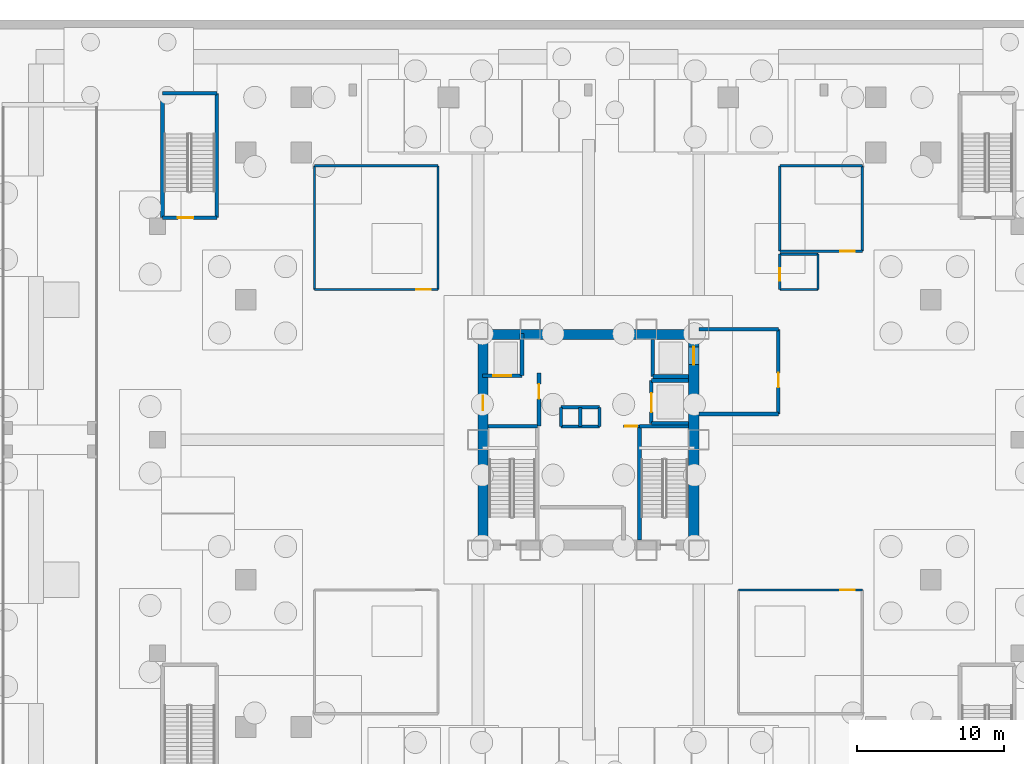
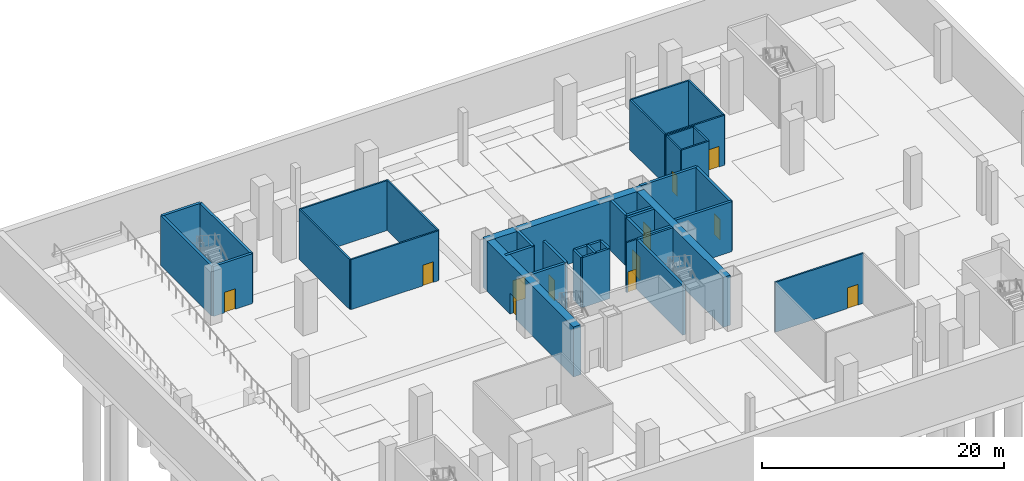
# One storey, part 5 of 16: 40 walls, 12 doors, 12 openings.
"""IFC4 building model written with IfcOpenShell, lengths in metres."""

import ifcopenshell
import ifcopenshell.guid

model = None  # the IFC model being written
_history = None  # IfcOwnerHistory: only IFC2X3 demands one
_inside = {}  # id of a spatial element -> (the spatial element, [elements in it])
_under = {}  # id of a project, library or spatial element -> (it, [spatial elements below it])
_declared = {}  # id of a project -> (the project, [libraries it declares])
_typed = {}  # id of a type object -> (the type object, [elements of that type])
_made_of = {}  # id of a material, layer set ... -> (it, [elements and type objects made of it])


def new_model(schema):
    """Start an empty IFC model of exactly this schema.

    Asked for "IFC4X3", IfcOpenShell would pick the latest addendum, in which some entities
    have other attributes; the version numbers below select the first issue.
    IFC2X3 requires an IfcOwnerHistory on every rooted entity: one is made here for all.
    """
    global model, _history
    if schema == "IFC4X3":
        model = ifcopenshell.file(schema_version=(4, 3, 0, 0))
    else:
        model = ifcopenshell.file(schema=schema)
    _inside.clear()
    _under.clear()
    _declared.clear()
    _typed.clear()
    _made_of.clear()
    _history = None
    if model.schema == "IFC2X3":
        org = make("IfcOrganization", Name="unknown")
        user = make(
            "IfcPersonAndOrganization",
            ThePerson=make("IfcPerson", FamilyName="unknown"),
            TheOrganization=org,
        )
        app = make(
            "IfcApplication",
            ApplicationDeveloper=org,
            Version="unknown",
            ApplicationFullName="unknown",
            ApplicationIdentifier="unknown",
        )
        _history = make(
            "IfcOwnerHistory",
            OwningUser=user,
            OwningApplication=app,
            ChangeAction="ADDED",
            CreationDate=0,
        )
    return model


def make(cls, **values):
    """One entity of the class cls with the attributes given. An attribute that is None is left unset."""
    return model.create_entity(
        cls, **{name: value for name, value in values.items() if value is not None}
    )


def rooted(cls, **values):
    """An entity with a GlobalId (a new one), such as an element, a storey or a relation."""
    return make(cls, GlobalId=ifcopenshell.guid.new(), OwnerHistory=_history, **values)


def si_unit(unit_type, name, prefix=None):
    """IfcSIUnit, for example si_unit("LENGTHUNIT", "METRE", prefix="MILLI")."""
    return make("IfcSIUnit", UnitType=unit_type, Prefix=prefix, Name=name)


def assignment(units):
    """IfcUnitAssignment: the units of a project."""
    return None if units is None else make("IfcUnitAssignment", Units=units)


def point(xyz):
    """IfcCartesianPoint."""
    return None if xyz is None else make("IfcCartesianPoint", Coordinates=xyz)


def direction(xyz):
    """IfcDirection."""
    return None if xyz is None else make("IfcDirection", DirectionRatios=xyz)


def frame(location, z_axis=None, x_axis=None):
    """IfcAxis2Placement3D, a coordinate frame: its origin and axes. An axis left out is left unset."""
    return make(
        "IfcAxis2Placement3D",
        Location=point(location),
        Axis=direction(z_axis),
        RefDirection=direction(x_axis),
    )


def frame_2d(location, x_axis=None):
    """IfcAxis2Placement2D, a coordinate frame in the plane: its origin and x axis."""
    return make(
        "IfcAxis2Placement2D", Location=point(location), RefDirection=direction(x_axis)
    )


def origin():
    """The frame at (0, 0, 0) with its axes left unset."""
    return frame((0.0, 0.0, 0.0))


def place(relative_to, where):
    """IfcLocalPlacement: puts the frame where relative to a parent placement (None: the world)."""
    return make(
        "IfcLocalPlacement", PlacementRelTo=relative_to, RelativePlacement=where
    )


def context(
    kind, dimensions, precision=None, world=None, true_north=None, identifier=None
):
    """IfcGeometricRepresentationContext, for example the 3D "Model" context."""
    return make(
        "IfcGeometricRepresentationContext",
        ContextIdentifier=identifier,
        ContextType=kind,
        CoordinateSpaceDimension=dimensions,
        Precision=precision,
        WorldCoordinateSystem=world,
        TrueNorth=true_north,
    )


def subcontext(parent, identifier, kind, view, scale=None):
    """IfcGeometricRepresentationSubContext, for example "Body" below "Model"."""
    return make(
        "IfcGeometricRepresentationSubContext",
        ContextIdentifier=identifier,
        ContextType=kind,
        ParentContext=parent,
        TargetScale=scale,
        TargetView=view,
    )


def project(units=None, contexts=None):
    """IfcProject with its units and contexts."""
    return rooted(
        "IfcProject",
        Name="project",
        RepresentationContexts=contexts,
        UnitsInContext=assignment(units),
    )


def spatial(cls, under=None, at=None, **own):
    """A site, building, storey or space (cls), placed at a placement, below another one or the project."""
    s = rooted(cls, ObjectPlacement=at, **own)
    if under is not None:
        _under.setdefault(under.id(), (under, []))[1].append(s)
    return s


def profile(cls, at=None, kind="AREA", **sizes):
    """A parametric profile (cls). Its sizes go by their IFC names, for example OverallWidth=200.0."""
    return make(cls, ProfileType=kind, Position=at, **sizes)


def rectangle(**sizes):
    """IfcRectangleProfileDef."""
    return profile("IfcRectangleProfileDef", **sizes)


def extrude(swept, where, along, depth):
    """IfcExtrudedAreaSolid: the profile swept, set in the frame where, extruded along a direction by depth."""
    return make(
        "IfcExtrudedAreaSolid",
        SweptArea=swept,
        Position=where,
        ExtrudedDirection=direction(along),
        Depth=depth,
    )


def shape(context_of_items, identifier, shape_type, items):
    """IfcShapeRepresentation: the items that make up one representation, for example the "Body"."""
    return make(
        "IfcShapeRepresentation",
        ContextOfItems=context_of_items,
        RepresentationIdentifier=identifier,
        RepresentationType=shape_type,
        Items=items,
    )


def material(Name=None, Category=None):
    """IfcMaterial."""
    return make("IfcMaterial", Name=Name, Category=Category)


def layer(
    of_material, thickness, ventilated=None, Name=None, Category=None, Priority=None
):
    """IfcMaterialLayer: one layer of a wall or slab, of a material (None: an air gap)."""
    return make(
        "IfcMaterialLayer",
        Material=of_material,
        LayerThickness=thickness,
        IsVentilated=ventilated,
        Name=Name,
        Category=Category,
        Priority=Priority,
    )


def layer_set(layers, Name=None):
    """IfcMaterialLayerSet."""
    return make("IfcMaterialLayerSet", MaterialLayers=layers, LayerSetName=Name)


def made_of(thing, what):
    """Note that an element or type object is made of a material, layer set ...; save() writes the relation."""
    if what is not None:
        _made_of.setdefault(what.id(), (what, []))[1].append(thing)
    return thing


def type_object(cls, material=None, **own):
    """A type object (cls), such as IfcWallType, which elements share."""
    return made_of(rooted(cls, **own), material)


def element(
    cls,
    number,
    at=None,
    inside=None,
    cuts=None,
    type_object=None,
    material=None,
    context=None,
    identifier="Body",
    shape_type=None,
    held_by="IfcProductDefinitionShape",
    body=None,
    shapes=None,
    **own,
):
    """One element of the class cls, such as IfcWall. Its Tag is "e" and its number.

    at: its placement. inside: the storey or other place that contains it. cuts: it is an
    opening in that element (IfcRelVoidsElement). A single representation is given by context,
    identifier, shape_type and body (its items); several are given by shapes. held_by: the class
    of the entity that holds the representations. save() writes the other relations.
    """
    e = rooted(cls, Tag="e%d" % number, ObjectPlacement=at, **own)
    if body is not None:
        shapes = [shape(context, identifier, shape_type, body)]
    if shapes is not None:
        e.Representation = make(held_by, Representations=shapes)
    if inside is not None:
        _inside.setdefault(inside.id(), (inside, []))[1].append(e)
    if cuts is not None:
        rooted(
            "IfcRelVoidsElement", RelatingBuildingElement=cuts, RelatedOpeningElement=e
        )
    if type_object is not None:
        _typed.setdefault(type_object.id(), (type_object, []))[1].append(e)
    return made_of(e, material)


def fill(opening, filler):
    """IfcRelFillsElement: the door or window that sits in an opening."""
    return rooted(
        "IfcRelFillsElement",
        RelatingOpeningElement=opening,
        RelatedBuildingElement=filler,
    )


def aggregate(whole, parts):
    """IfcRelAggregates: a whole, such as a stair, and the parts it consists of."""
    return rooted("IfcRelAggregates", RelatingObject=whole, RelatedObjects=parts)


def save(model, path):
    """Write the relations noted so far, then the file.

    IfcRelAggregates (storeys below a building ...), IfcRelContainedInSpatialStructure (elements
    in a storey), IfcRelDefinesByType, IfcRelAssociatesMaterial and IfcRelDeclares: one each for
    every whole, place, type object, material and project.
    """
    for whole, parts in _under.values():
        aggregate(whole, parts)
    for where, things in _inside.values():
        rooted(
            "IfcRelContainedInSpatialStructure",
            RelatedElements=things,
            RelatingStructure=where,
        )
    for kind, things in _typed.values():
        rooted("IfcRelDefinesByType", RelatedObjects=things, RelatingType=kind)
    for what, things in _made_of.values():
        rooted("IfcRelAssociatesMaterial", RelatedObjects=things, RelatingMaterial=what)
    for by, libraries in _declared.values():
        rooted("IfcRelDeclares", RelatingContext=by, RelatedDefinitions=libraries)
    model.write(path)


model = new_model("IFC4")

# Units and contexts
model_context = context("Model", 3, precision=1e-05, world=origin(), true_north=direction((0.0, 1.0)))
body_context = subcontext(model_context, "Body", "Model", "MODEL_VIEW")
ifc_project = project(units=[si_unit("LENGTHUNIT", "METRE"), si_unit("AREAUNIT", "SQUARE_METRE"), si_unit("VOLUMEUNIT", "CUBIC_METRE"), si_unit("PLANEANGLEUNIT", "RADIAN"), si_unit("MASSUNIT", "GRAM", prefix="KILO")], contexts=[model_context])

# Site, building, storey
site_placement = place(None, origin())
site = spatial("IfcSite", under=ifc_project, at=site_placement, CompositionType="ELEMENT")
building_placement = place(site_placement, origin())
building = spatial("IfcBuilding", under=site, at=building_placement, Name="Trevonay Congress Spire", CompositionType="ELEMENT")
storey_placement = place(building_placement, frame((0.0, 0.0, -10.800048828125)))
storey = spatial("IfcBuildingStorey", under=building, at=storey_placement, Name="B2", CompositionType="ELEMENT", Elevation=-10.800048828125)

# Wall
ifc_material_1 = material(Name="Concrete C60/75", Category="concrete")
ifc_layer_1 = layer(ifc_material_1, 0.699951171875, Name="Concrete C60/75")
ifc_layer_set_1 = layer_set([ifc_layer_1], Name="Concrete C60/75")
wall_type_1 = type_object("IfcWallType", Name="WAL-CORE-700", PredefinedType="SHEAR", material=ifc_layer_set_1)
wall_1_placement = place(storey_placement, frame((-7.5, 7.14990234375, 0.0), z_axis=(0.0, 0.0, 1.0), x_axis=(1.0, 0.0, 0.0)))
element("IfcWall", 1, at=wall_1_placement, inside=storey, type_object=wall_type_1, Name="B2 North structural core shear wall", PredefinedType="SHEAR", context=body_context, shape_type="SweptSolid", body=[
    extrude(rectangle(XDim=15.0, YDim=0.699951171875, at=frame_2d((7.5, 0.0))), origin(), (0.0, 0.0, 1.0), 5.050048828125),
])

# Wall, opening, door
wall_2_placement = place(storey_placement, frame((-7.14990234375, -7.5, 0.0), z_axis=(0.0, 0.0, 1.0), x_axis=(0.0, 1.0, 0.0)))
wall_2 = element("IfcWall", 2, at=wall_2_placement, inside=storey, type_object=wall_type_1, Name="B2 West structural core shear wall", PredefinedType="SHEAR", context=body_context, shape_type="SweptSolid", body=[
    extrude(rectangle(XDim=15.0, YDim=0.699951171875, at=frame_2d((7.5, 0.0))), origin(), (0.0, 0.0, 1.0), 5.050048828125),
])
opening_1_placement = place(wall_2_placement, frame((9.5, 0.0, 0.0)))
opening_1 = element("IfcOpeningElement", 3, at=opening_1_placement, cuts=wall_2, Name="Opening D06", PredefinedType="OPENING", context=body_context, shape_type="SweptSolid", body=[
    extrude(rectangle(XDim=1.0, YDim=2.080078125, at=frame_2d((0.5, 1.0400390625))), frame((0.0, 0.35986328125, 0.0), z_axis=(0.0, -1.0, 0.0), x_axis=(1.0, 0.0, 0.0)), (0.0, 0.0, 1.0), 0.719970703125),
])
ifc_material_2 = material(Name="Steel ASTM A572 Grade 50", Category="steel")
door_type_1 = type_object("IfcDoorType", Name="DOR-FIRE-100", OperationType="NOTDEFINED", PredefinedType="DOOR", material=ifc_material_2)
door_1_placement = place(opening_1_placement, origin())
door_1 = element("IfcDoor", 4, at=door_1_placement, inside=storey, type_object=door_type_1, Name="B2 Firefighting Lift Lobby West Corridor Door", OperationType="SINGLE_SWING_RIGHT", OverallHeight=2.080078125, OverallWidth=1.0, PredefinedType="DOOR", context=body_context, shape_type="SweptSolid", body=[
    extrude(rectangle(XDim=1.0, YDim=2.080078125, at=frame_2d((0.5, 1.0400390625))), frame((0.0, 0.02490234375, 0.0), z_axis=(0.0, -1.0, 0.0), x_axis=(1.0, 0.0, 0.0)), (0.0, 0.0, 1.0), 0.050048828125),
])
fill(opening_1, door_1)

wall_3_placement = place(storey_placement, frame((7.14990234375, -7.5, 0.0), z_axis=(0.0, 0.0, 1.0), x_axis=(0.0, 1.0, 0.0)))
wall_3 = element("IfcWall", 5, at=wall_3_placement, inside=storey, type_object=wall_type_1, Name="B2 East structural core shear wall", PredefinedType="SHEAR", context=body_context, shape_type="SweptSolid", body=[
    extrude(rectangle(XDim=15.0, YDim=0.699951171875, at=frame_2d((7.5, 0.0))), origin(), (0.0, 0.0, 1.0), 5.050048828125),
])
opening_2_placement = place(wall_3_placement, frame((12.60009765625, 0.0, 0.0)))
opening_2 = element("IfcOpeningElement", 6, at=opening_2_placement, cuts=wall_3, Name="Opening LD04", PredefinedType="OPENING", context=body_context, shape_type="SweptSolid", body=[
    extrude(rectangle(XDim=1.199951171875, YDim=2.199951171875, at=frame_2d((0.60009765625, 1.10009765625))), frame((0.0, 0.35986328125, 0.0), z_axis=(0.0, -1.0, 0.0), x_axis=(1.0, 0.0, 0.0)), (0.0, 0.0, 1.0), 0.719970703125),
])
door_type_2 = type_object("IfcDoorType", Name="DOR-LIFT-LD04", OperationType="DOUBLE_DOOR_SLIDING", PredefinedType="DOOR", material=ifc_material_2)
door_2_placement = place(opening_2_placement, origin())
door_2 = element("IfcDoor", 7, at=door_2_placement, inside=storey, type_object=door_type_2, Name="B2 Firefighting lift FFL-02 landing door", OperationType="DOUBLE_DOOR_SLIDING", OverallHeight=2.199951171875, OverallWidth=1.199951171875, PredefinedType="DOOR", context=body_context, shape_type="SweptSolid", body=[
    extrude(rectangle(XDim=1.199951171875, YDim=2.199951171875, at=frame_2d((0.60009765625, 1.10009765625))), frame((0.0, 0.02490234375, 0.0), z_axis=(0.0, -1.0, 0.0), x_axis=(1.0, 0.0, 0.0)), (0.0, 0.0, 1.0), 0.050048828125),
])
fill(opening_2, door_2)

ifc_material_3 = material(Name="Concrete C40/50", Category="concrete")
ifc_layer_2 = layer(ifc_material_3, 0.14990234375, Name="Concrete C40/50")
ifc_layer_set_2 = layer_set([ifc_layer_2], Name="Concrete C40/50")
wall_type_2 = type_object("IfcWallType", Name="WAL-PART-150", PredefinedType="PARTITIONING", material=ifc_layer_set_2)
wall_4_placement = place(storey_placement, frame((2.3798828125, 0.919921875, 0.0), z_axis=(0.0, 0.0, 1.0), x_axis=(1.0, 0.0, 0.0)))
wall_4 = element("IfcWall", 8, at=wall_4_placement, inside=storey, type_object=wall_type_2, Name="B2 interior wall CW-CSRV-N-B2", PredefinedType="PARTITIONING", context=body_context, shape_type="SweptSolid", body=[
    extrude(rectangle(XDim=1.090087890625, YDim=0.14990234375, at=frame_2d((0.544921875, 0.0))), origin(), (0.0, 0.0, 1.0), 5.050048828125),
])
opening_3_placement = place(wall_4_placement, frame((0.135009765625, 0.0, 0.0)))
opening_3 = element("IfcOpeningElement", 9, at=opening_3_placement, cuts=wall_4, Name="Opening D13", PredefinedType="OPENING", context=body_context, shape_type="SweptSolid", body=[
    extrude(rectangle(XDim=0.820068359375, YDim=2.050048828125, at=frame_2d((0.41015625, 1.02490234375))), frame((0.0, 0.0849609375, 0.0), z_axis=(0.0, -1.0, 0.0), x_axis=(1.0, 0.0, 0.0)), (0.0, 0.0, 1.0), 0.169921875),
])
door_type_3 = type_object("IfcDoorType", Name="DOR-UTIL-80", OperationType="NOTDEFINED", PredefinedType="DOOR", material=ifc_material_2)
door_3_placement = place(opening_3_placement, origin())
door_3 = element("IfcDoor", 10, at=door_3_placement, inside=storey, type_object=door_type_3, Name="B2 Core Service Pocket Door", OperationType="SINGLE_SWING_RIGHT", OverallHeight=2.050048828125, OverallWidth=0.820068359375, PredefinedType="DOOR", context=body_context, shape_type="SweptSolid", body=[
    extrude(rectangle(XDim=0.820068359375, YDim=2.050048828125, at=frame_2d((0.41015625, 1.02490234375))), frame((0.0, 0.02490234375, 0.0), z_axis=(0.0, -1.0, 0.0), x_axis=(1.0, 0.0, 0.0)), (0.0, 0.0, 1.0), 0.050048828125),
])
fill(opening_3, door_3)

wall_5_placement = place(storey_placement, frame((10.199951171875, -10.199951171875, 0.0), z_axis=(0.0, 0.0, 1.0), x_axis=(1.0, 0.0, 0.0)))
wall_5 = element("IfcWall", 11, at=wall_5_placement, inside=storey, type_object=wall_type_2, Name="B2 interior wall WB-B203-N", PredefinedType="PARTITIONING", context=body_context, shape_type="SweptSolid", body=[
    extrude(rectangle(XDim=8.400146484375, YDim=0.14990234375, at=frame_2d((4.2001953125, 0.0))), origin(), (0.0, 0.0, 1.0), 5.050048828125),
])
opening_4_placement = place(wall_5_placement, frame((6.89990234375, 0.0, 0.0)))
opening_4 = element("IfcOpeningElement", 12, at=opening_4_placement, cuts=wall_5, Name="Opening D06", PredefinedType="OPENING", context=body_context, shape_type="SweptSolid", body=[
    extrude(rectangle(XDim=1.0, YDim=2.080078125, at=frame_2d((0.5, 1.0400390625))), frame((0.0, 0.0849609375, 0.0), z_axis=(0.0, -1.0, 0.0), x_axis=(1.0, 0.0, 0.0)), (0.0, 0.0, 1.0), 0.169921875),
])
door_4_placement = place(opening_4_placement, origin())
door_4 = element("IfcDoor", 13, at=door_4_placement, inside=storey, type_object=door_type_1, Name="B2 Fire Sprinkler Tank and Pump Room Door", OperationType="SINGLE_SWING_LEFT", OverallHeight=2.080078125, OverallWidth=1.0, PredefinedType="DOOR", context=body_context, shape_type="SweptSolid", body=[
    extrude(rectangle(XDim=1.0, YDim=2.080078125, at=frame_2d((0.5, 1.0400390625))), frame((0.0, 0.02490234375, 0.0), z_axis=(0.0, -1.0, 0.0), x_axis=(1.0, 0.0, 0.0)), (0.0, 0.0, 1.0), 0.050048828125),
])
fill(opening_4, door_4)

wall_6_placement = place(storey_placement, frame((-18.60009765625, 10.199951171875, 0.0), z_axis=(0.0, 0.0, 1.0), x_axis=(1.0, 0.0, 0.0)))
wall_6 = element("IfcWall", 14, at=wall_6_placement, inside=storey, type_object=wall_type_2, Name="B2 interior wall WB-B204-S", PredefinedType="PARTITIONING", context=body_context, shape_type="SweptSolid", body=[
    extrude(rectangle(XDim=8.400146484375, YDim=0.14990234375, at=frame_2d((4.2001953125, 0.0))), origin(), (0.0, 0.0, 1.0), 5.050048828125),
])
opening_5_placement = place(wall_6_placement, frame((6.89990234375, 0.0, 0.0)))
opening_5 = element("IfcOpeningElement", 15, at=opening_5_placement, cuts=wall_6, Name="Opening D06", PredefinedType="OPENING", context=body_context, shape_type="SweptSolid", body=[
    extrude(rectangle(XDim=1.0, YDim=2.080078125, at=frame_2d((0.5, 1.0400390625))), frame((0.0, 0.0849609375, 0.0), z_axis=(0.0, -1.0, 0.0), x_axis=(1.0, 0.0, 0.0)), (0.0, 0.0, 1.0), 0.169921875),
])
door_5_placement = place(opening_5_placement, origin())
door_5 = element("IfcDoor", 16, at=door_5_placement, inside=storey, type_object=door_type_1, Name="B2 District Cooling Chiller Plant Door", OperationType="SINGLE_SWING_RIGHT", OverallHeight=2.080078125, OverallWidth=1.0, PredefinedType="DOOR", context=body_context, shape_type="SweptSolid", body=[
    extrude(rectangle(XDim=1.0, YDim=2.080078125, at=frame_2d((0.5, 1.0400390625))), frame((0.0, 0.02490234375, 0.0), z_axis=(0.0, -1.0, 0.0), x_axis=(1.0, 0.0, 0.0)), (0.0, 0.0, 1.0), 0.050048828125),
])
fill(opening_5, door_5)

# Walls
for number, where, z_axis, x_axis, name in (
    (17, (-18.60009765625, 18.60009765625, 0.0), (0.0, 0.0, 1.0), (1.0, 0.0, 0.0), "B2 interior wall WB-B204-N"),
    (18, (-18.60009765625, 10.199951171875, 0.0), (0.0, 0.0, 1.0), (0.0, 1.0, 0.0), "B2 interior wall WB-B204-W"),
    (19, (-10.199951171875, 10.199951171875, 0.0), (0.0, 0.0, 1.0), (0.0, 1.0, 0.0), "B2 interior wall WB-B204-E"),
):
    element("IfcWall", number, at=place(storey_placement, frame(where, z_axis=z_axis, x_axis=x_axis)), inside=storey, type_object=wall_type_2, Name=name, PredefinedType="PARTITIONING", context=body_context, shape_type="SweptSolid", body=[
        extrude(rectangle(XDim=8.400146484375, YDim=0.14990234375, at=frame_2d((4.2001953125, 0.0))), origin(), (0.0, 0.0, 1.0), 5.050048828125),
    ])

# Wall, opening, door
wall_7_placement = place(storey_placement, frame((13.0, 12.800048828125, 0.0), z_axis=(0.0, 0.0, 1.0), x_axis=(1.0, 0.0, 0.0)))
wall_7 = element("IfcWall", 20, at=wall_7_placement, inside=storey, type_object=wall_type_2, Name="B2 interior wall WB-B205-S", PredefinedType="PARTITIONING", context=body_context, shape_type="SweptSolid", body=[
    extrude(rectangle(XDim=5.60009765625, YDim=0.14990234375, at=frame_2d((2.800048828125, 0.0))), origin(), (0.0, 0.0, 1.0), 5.050048828125),
])
opening_6_placement = place(wall_7_placement, frame((4.10009765625, 0.0, 0.0)))
opening_6 = element("IfcOpeningElement", 21, at=opening_6_placement, cuts=wall_7, Name="Opening D06", PredefinedType="OPENING", context=body_context, shape_type="SweptSolid", body=[
    extrude(rectangle(XDim=1.0, YDim=2.080078125, at=frame_2d((0.5, 1.0400390625))), frame((0.0, 0.0849609375, 0.0), z_axis=(0.0, -1.0, 0.0), x_axis=(1.0, 0.0, 0.0)), (0.0, 0.0, 1.0), 0.169921875),
])
door_6_placement = place(opening_6_placement, origin())
door_6 = element("IfcDoor", 22, at=door_6_placement, inside=storey, type_object=door_type_1, Name="B2 Domestic Water Cistern Room Door", OperationType="SINGLE_SWING_LEFT", OverallHeight=2.080078125, OverallWidth=1.0, PredefinedType="DOOR", context=body_context, shape_type="SweptSolid", body=[
    extrude(rectangle(XDim=1.0, YDim=2.080078125, at=frame_2d((0.5, 1.0400390625))), frame((0.0, 0.02490234375, 0.0), z_axis=(0.0, -1.0, 0.0), x_axis=(1.0, 0.0, 0.0)), (0.0, 0.0, 1.0), 0.050048828125),
])
fill(opening_6, door_6)

# Walls
wall_8_placement = place(storey_placement, frame((13.0, 18.60009765625, 0.0), z_axis=(0.0, 0.0, 1.0), x_axis=(1.0, 0.0, 0.0)))
element("IfcWall", 23, at=wall_8_placement, inside=storey, type_object=wall_type_2, Name="B2 interior wall WB-B205-N", PredefinedType="PARTITIONING", context=body_context, shape_type="SweptSolid", body=[
    extrude(rectangle(XDim=5.60009765625, YDim=0.14990234375, at=frame_2d((2.800048828125, 0.0))), origin(), (0.0, 0.0, 1.0), 5.050048828125),
])
for number, where, z_axis, x_axis, name in (
    (24, (13.0, 12.800048828125, 0.0), (0.0, 0.0, 1.0), (0.0, 1.0, 0.0), "B2 interior wall WB-B205-W"),
    (25, (18.60009765625, 12.800048828125, 0.0), (0.0, 0.0, 1.0), (0.0, 1.0, 0.0), "B2 interior wall WB-B205-E"),
):
    element("IfcWall", number, at=place(storey_placement, frame(where, z_axis=z_axis, x_axis=x_axis)), inside=storey, type_object=wall_type_2, Name=name, PredefinedType="PARTITIONING", context=body_context, shape_type="SweptSolid", body=[
        extrude(rectangle(XDim=5.800048828125, YDim=0.14990234375, at=frame_2d((2.89990234375, 0.0))), origin(), (0.0, 0.0, 1.0), 5.050048828125),
    ])
for number, where, z_axis, x_axis, name in (
    (26, (13.0, 10.199951171875, 0.0), (0.0, 0.0, 1.0), (1.0, 0.0, 0.0), "B2 interior wall WB-B206-S"),
    (27, (13.0, 12.60009765625, 0.0), (0.0, 0.0, 1.0), (1.0, 0.0, 0.0), "B2 interior wall WB-B206-N"),
):
    element("IfcWall", number, at=place(storey_placement, frame(where, z_axis=z_axis, x_axis=x_axis)), inside=storey, type_object=wall_type_2, Name=name, PredefinedType="PARTITIONING", context=body_context, shape_type="SweptSolid", body=[
        extrude(rectangle(XDim=2.60009765625, YDim=0.14990234375, at=frame_2d((1.300048828125, 0.0))), origin(), (0.0, 0.0, 1.0), 5.050048828125),
    ])

# Wall, opening, door
wall_9_placement = place(storey_placement, frame((13.0, 10.199951171875, 0.0), z_axis=(0.0, 0.0, 1.0), x_axis=(0.0, 1.0, 0.0)))
wall_9 = element("IfcWall", 28, at=wall_9_placement, inside=storey, type_object=wall_type_2, Name="B2 interior wall WB-B206-W", PredefinedType="PARTITIONING", context=body_context, shape_type="SweptSolid", body=[
    extrude(rectangle(XDim=2.400146484375, YDim=0.14990234375, at=frame_2d((1.2001953125, 0.0))), origin(), (0.0, 0.0, 1.0), 5.050048828125),
])
opening_7_placement = place(wall_9_placement, frame((0.60009765625, 0.0, 0.0)))
opening_7 = element("IfcOpeningElement", 29, at=opening_7_placement, cuts=wall_9, Name="Opening D10", PredefinedType="OPENING", context=body_context, shape_type="SweptSolid", body=[
    extrude(rectangle(XDim=0.85009765625, YDim=2.050048828125, at=frame_2d((0.425048828125, 1.02490234375))), frame((0.0, 0.0849609375, 0.0), z_axis=(0.0, -1.0, 0.0), x_axis=(1.0, 0.0, 0.0)), (0.0, 0.0, 1.0), 0.169921875),
])
ifc_material_4 = material(Name="Pale Anodised Aluminium EN AW-6063-T6", Category="aluminium")
door_type_4 = type_object("IfcDoorType", Name="DOR-WC-85", OperationType="NOTDEFINED", PredefinedType="DOOR", material=ifc_material_4)
door_7_placement = place(opening_7_placement, origin())
door_7 = element("IfcDoor", 30, at=door_7_placement, inside=storey, type_object=door_type_4, Name="B2 Accessible Staff WC B2 Door", OperationType="SINGLE_SWING_RIGHT", OverallHeight=2.050048828125, OverallWidth=0.85009765625, PredefinedType="DOOR", context=body_context, shape_type="SweptSolid", body=[
    extrude(rectangle(XDim=0.85009765625, YDim=2.050048828125, at=frame_2d((0.425048828125, 1.02490234375))), frame((0.0, 0.02490234375, 0.0), z_axis=(0.0, -1.0, 0.0), x_axis=(1.0, 0.0, 0.0)), (0.0, 0.0, 1.0), 0.050048828125),
])
fill(opening_7, door_7)

# Walls
wall_10_placement = place(storey_placement, frame((15.60009765625, 10.199951171875, 0.0), z_axis=(0.0, 0.0, 1.0), x_axis=(0.0, 1.0, 0.0)))
element("IfcWall", 31, at=wall_10_placement, inside=storey, type_object=wall_type_2, Name="B2 interior wall WB-B206-E", PredefinedType="PARTITIONING", context=body_context, shape_type="SweptSolid", body=[
    extrude(rectangle(XDim=2.400146484375, YDim=0.14990234375, at=frame_2d((1.2001953125, 0.0))), origin(), (0.0, 0.0, 1.0), 5.050048828125),
])
ifc_layer_3 = layer(ifc_material_3, 0.219970703125, Name="Concrete C40/50")
ifc_layer_set_3 = layer_set([ifc_layer_3], Name="Concrete C40/50")
wall_type_3 = type_object("IfcWallType", Name="WAL-SHAFT-220", PredefinedType="PARTITIONING", material=ifc_layer_set_3)
for number, where, z_axis, x_axis, name in (
    (32, (-1.85009765625, 2.199951171875, 0.0), (0.0, 0.0, 1.0), (1.0, 0.0, 0.0), "B2 interior shaft wall WSH-B2-RSR-N"),
    (33, (-1.85009765625, 0.89990234375, 0.0), (0.0, 0.0, 1.0), (1.0, 0.0, 0.0), "B2 interior shaft wall WSH-B2-RSR-S"),
):
    element("IfcWall", number, at=place(storey_placement, frame(where, z_axis=z_axis, x_axis=x_axis)), inside=storey, type_object=wall_type_3, Name=name, PredefinedType="PARTITIONING", context=body_context, shape_type="SweptSolid", body=[
        extrude(rectangle(XDim=2.60009765625, YDim=0.219970703125, at=frame_2d((1.300048828125, 0.0))), origin(), (0.0, 0.0, 1.0), 5.050048828125),
    ])
for number, where, z_axis, x_axis, name in (
    (34, (-0.550048828125, 0.89990234375, 0.0), (0.0, 0.0, 1.0), (0.0, 1.0, 0.0), "B2 interior shaft wall WSH-B2-RSR-M"),
    (35, (0.75, 0.89990234375, 0.0), (0.0, 0.0, 1.0), (0.0, 1.0, 0.0), "B2 interior shaft wall WSH-B2-RSR-E"),
    (36, (-1.85009765625, 0.89990234375, 0.0), (0.0, 0.0, 1.0), (0.0, 1.0, 0.0), "B2 interior shaft wall WSH-B2-RSR-W"),
):
    element("IfcWall", number, at=place(storey_placement, frame(where, z_axis=z_axis, x_axis=x_axis)), inside=storey, type_object=wall_type_3, Name=name, PredefinedType="PARTITIONING", context=body_context, shape_type="SweptSolid", body=[
        extrude(rectangle(XDim=1.300048828125, YDim=0.219970703125, at=frame_2d((0.64990234375, 0.0))), origin(), (0.0, 0.0, 1.0), 5.050048828125),
    ])

# Wall, opening, door
ifc_layer_4 = layer(ifc_material_3, 0.25, Name="Concrete C40/50")
ifc_layer_set_4 = layer_set([ifc_layer_4], Name="Concrete C40/50")
wall_type_4 = type_object("IfcWallType", Name="WAL-SHAFT-250", PredefinedType="SHEAR", material=ifc_layer_set_4)
wall_11_placement = place(storey_placement, frame((-7.199951171875, 4.35009765625, 0.0), z_axis=(0.0, 0.0, 1.0), x_axis=(1.0, 0.0, 0.0)))
wall_11 = element("IfcWall", 37, at=wall_11_placement, inside=storey, type_object=wall_type_4, Name="B2 interior shaft wall WSH-B2-FF1-S", PredefinedType="SHEAR", context=body_context, shape_type="SweptSolid", body=[
    extrude(rectangle(XDim=2.699951171875, YDim=0.25, at=frame_2d((1.35009765625, 0.0))), origin(), (0.0, 0.0, 1.0), 5.050048828125),
])
opening_8_placement = place(wall_11_placement, frame((0.75, 0.0, 0.0)))
opening_8 = element("IfcOpeningElement", 38, at=opening_8_placement, cuts=wall_11, Name="Opening LD04", PredefinedType="OPENING", context=body_context, shape_type="SweptSolid", body=[
    extrude(rectangle(XDim=1.199951171875, YDim=2.199951171875, at=frame_2d((0.60009765625, 1.10009765625))), frame((0.0, 0.135009765625, 0.0), z_axis=(0.0, -1.0, 0.0), x_axis=(1.0, 0.0, 0.0)), (0.0, 0.0, 1.0), 0.27001953125),
])
door_8_placement = place(opening_8_placement, origin())
door_8 = element("IfcDoor", 39, at=door_8_placement, inside=storey, type_object=door_type_2, Name="B2 Firefighting lift FFL-01 landing door", OperationType="DOUBLE_DOOR_SLIDING", OverallHeight=2.199951171875, OverallWidth=1.199951171875, PredefinedType="DOOR", context=body_context, shape_type="SweptSolid", body=[
    extrude(rectangle(XDim=1.199951171875, YDim=2.199951171875, at=frame_2d((0.60009765625, 1.10009765625))), frame((0.0, 0.02490234375, 0.0), z_axis=(0.0, -1.0, 0.0), x_axis=(1.0, 0.0, 0.0)), (0.0, 0.0, 1.0), 0.050048828125),
])
fill(opening_8, door_8)

# Walls
wall_12_placement = place(storey_placement, frame((-4.5, 4.35009765625, 0.0), z_axis=(0.0, 0.0, 1.0), x_axis=(0.0, 1.0, 0.0)))
element("IfcWall", 40, at=wall_12_placement, inside=storey, type_object=wall_type_4, Name="B2 interior shaft wall WSH-B2-FF1-E", PredefinedType="SHEAR", context=body_context, shape_type="SweptSolid", body=[
    extrude(rectangle(XDim=2.849853515625, YDim=0.25, at=frame_2d((1.4248046875, 0.0))), origin(), (0.0, 0.0, 1.0), 5.050048828125),
])
wall_13_placement = place(storey_placement, frame((4.3798828125, 4.300048828125, 0.0), z_axis=(0.0, 0.0, 1.0), x_axis=(1.0, 0.0, 0.0)))
element("IfcWall", 41, at=wall_13_placement, inside=storey, type_object=wall_type_4, Name="B2 interior shaft wall WSH-B2-FF2-S", PredefinedType="SHEAR", context=body_context, shape_type="SweptSolid", body=[
    extrude(rectangle(XDim=2.420166015625, YDim=0.25, at=frame_2d((1.2099609375, 0.0))), origin(), (0.0, 0.0, 1.0), 5.050048828125),
])
wall_14_placement = place(storey_placement, frame((4.3798828125, 4.300048828125, 0.0), z_axis=(0.0, 0.0, 1.0), x_axis=(0.0, 1.0, 0.0)))
element("IfcWall", 42, at=wall_14_placement, inside=storey, type_object=wall_type_4, Name="B2 interior shaft wall WSH-B2-FF2-W", PredefinedType="SHEAR", context=body_context, shape_type="SweptSolid", body=[
    extrude(rectangle(XDim=2.5, YDim=0.25, at=frame_2d((1.25, 0.0))), origin(), (0.0, 0.0, 1.0), 5.050048828125),
])

# Wall, opening, door
wall_15_placement = place(storey_placement, frame((4.280029296875, 1.1201171875, 0.0), z_axis=(0.0, 0.0, 1.0), x_axis=(0.0, 1.0, 0.0)))
wall_15 = element("IfcWall", 43, at=wall_15_placement, inside=storey, type_object=wall_type_4, Name="B2 interior shaft wall WSH-B2-SV-W", PredefinedType="SHEAR", context=body_context, shape_type="SweptSolid", body=[
    extrude(rectangle(XDim=2.89990234375, YDim=0.25, at=frame_2d((1.449951171875, 0.0))), origin(), (0.0, 0.0, 1.0), 5.050048828125),
])
opening_9_placement = place(wall_15_placement, frame((0.75, 0.0, 0.0)))
opening_9 = element("IfcOpeningElement", 44, at=opening_9_placement, cuts=wall_15, Name="Opening LD05", PredefinedType="OPENING", context=body_context, shape_type="SweptSolid", body=[
    extrude(rectangle(XDim=1.300048828125, YDim=2.300048828125, at=frame_2d((0.64990234375, 1.14990234375))), frame((0.0, 0.135009765625, 0.0), z_axis=(0.0, -1.0, 0.0), x_axis=(1.0, 0.0, 0.0)), (0.0, 0.0, 1.0), 0.27001953125),
])
door_type_5 = type_object("IfcDoorType", Name="DOR-LIFT-LD05", OperationType="DOUBLE_DOOR_SLIDING", PredefinedType="DOOR", material=ifc_material_2)
door_9_placement = place(opening_9_placement, origin())
door_9 = element("IfcDoor", 45, at=door_9_placement, inside=storey, type_object=door_type_5, Name="B2 Goods lift SVL-01 landing door", OperationType="DOUBLE_DOOR_SLIDING", OverallHeight=2.300048828125, OverallWidth=1.300048828125, PredefinedType="DOOR", context=body_context, shape_type="SweptSolid", body=[
    extrude(rectangle(XDim=1.300048828125, YDim=2.300048828125, at=frame_2d((0.64990234375, 1.14990234375))), frame((0.0, 0.02490234375, 0.0), z_axis=(0.0, -1.0, 0.0), x_axis=(1.0, 0.0, 0.0)), (0.0, 0.0, 1.0), 0.050048828125),
])
fill(opening_9, door_9)

# Walls
for number, where, z_axis, x_axis, name in (
    (46, (4.280029296875, 1.1201171875, 0.0), (0.0, 0.0, 1.0), (1.0, 0.0, 0.0), "B2 interior shaft wall WSH-B2-SV-S"),
    (47, (4.280029296875, 4.02001953125, 0.0), (0.0, 0.0, 1.0), (1.0, 0.0, 0.0), "B2 interior shaft wall WSH-B2-SV-N"),
):
    element("IfcWall", number, at=place(storey_placement, frame(where, z_axis=z_axis, x_axis=x_axis)), inside=storey, type_object=wall_type_4, Name=name, PredefinedType="SHEAR", context=body_context, shape_type="SweptSolid", body=[
        extrude(rectangle(XDim=2.52001953125, YDim=0.25, at=frame_2d((1.260009765625, 0.0))), origin(), (0.0, 0.0, 1.0), 5.050048828125),
    ])

# Wall, opening, door
wall_16_placement = place(storey_placement, frame((-3.35009765625, 0.919921875, 0.0), z_axis=(0.0, 0.0, 1.0), x_axis=(0.0, 1.0, 0.0)))
wall_16 = element("IfcWall", 48, at=wall_16_placement, inside=storey, type_object=wall_type_4, Name="B2 interior wall CW-FFLW-E-B2", PredefinedType="SHEAR", context=body_context, shape_type="SweptSolid", body=[
    extrude(rectangle(XDim=3.6201171875, YDim=0.25, at=frame_2d((1.81005859375, 0.0))), origin(), (0.0, 0.0, 1.0), 5.050048828125),
])
opening_10_placement = place(wall_16_placement, frame((1.85009765625, 0.0, 0.0)))
opening_10 = element("IfcOpeningElement", 49, at=opening_10_placement, cuts=wall_16, Name="Opening D06", PredefinedType="OPENING", context=body_context, shape_type="SweptSolid", body=[
    extrude(rectangle(XDim=1.0, YDim=2.080078125, at=frame_2d((0.5, 1.0400390625))), frame((0.0, 0.135009765625, 0.0), z_axis=(0.0, -1.0, 0.0), x_axis=(1.0, 0.0, 0.0)), (0.0, 0.0, 1.0), 0.27001953125),
])
door_10_placement = place(opening_10_placement, origin())
door_10 = element("IfcDoor", 50, at=door_10_placement, inside=storey, type_object=door_type_1, Name="B2 Firefighting Core Lobby Transfer Door", OperationType="SINGLE_SWING_LEFT", OverallHeight=2.080078125, OverallWidth=1.0, PredefinedType="DOOR", context=body_context, shape_type="SweptSolid", body=[
    extrude(rectangle(XDim=1.0, YDim=2.080078125, at=frame_2d((0.5, 1.0400390625))), frame((0.0, 0.02490234375, 0.0), z_axis=(0.0, -1.0, 0.0), x_axis=(1.0, 0.0, 0.0)), (0.0, 0.0, 1.0), 0.050048828125),
])
fill(opening_10, door_10)

wall_17_placement = place(storey_placement, frame((12.89990234375, 1.75, 0.0), z_axis=(0.0, 0.0, 1.0), x_axis=(0.0, 1.0, 0.0)))
wall_17 = element("IfcWall", 51, at=wall_17_placement, inside=storey, type_object=wall_type_4, Name="B2 interior wall WB-B2-FFLE-E", PredefinedType="SHEAR", context=body_context, shape_type="SweptSolid", body=[
    extrude(rectangle(XDim=5.75, YDim=0.25, at=frame_2d((2.875, 0.0))), origin(), (0.0, 0.0, 1.0), 5.050048828125),
])
opening_11_placement = place(wall_17_placement, frame((1.800048828125, 0.0, 0.0)))
opening_11 = element("IfcOpeningElement", 52, at=opening_11_placement, cuts=wall_17, Name="Opening D06", PredefinedType="OPENING", context=body_context, shape_type="SweptSolid", body=[
    extrude(rectangle(XDim=1.0, YDim=2.080078125, at=frame_2d((0.5, 1.0400390625))), frame((0.0, 0.135009765625, 0.0), z_axis=(0.0, -1.0, 0.0), x_axis=(1.0, 0.0, 0.0)), (0.0, 0.0, 1.0), 0.27001953125),
])
door_11_placement = place(opening_11_placement, origin())
door_11 = element("IfcDoor", 53, at=door_11_placement, inside=storey, type_object=door_type_1, Name="B2 Firefighting Lobby East B2 Door", OperationType="SINGLE_SWING_LEFT", OverallHeight=2.080078125, OverallWidth=1.0, PredefinedType="DOOR", context=body_context, shape_type="SweptSolid", body=[
    extrude(rectangle(XDim=1.0, YDim=2.080078125, at=frame_2d((0.5, 1.0400390625))), frame((0.0, 0.02490234375, 0.0), z_axis=(0.0, -1.0, 0.0), x_axis=(1.0, 0.0, 0.0)), (0.0, 0.0, 1.0), 0.050048828125),
])
fill(opening_11, door_11)

# Walls
for number, where, z_axis, x_axis, name in (
    (54, (7.5, 1.75, 0.0), (0.0, 0.0, 1.0), (1.0, 0.0, 0.0), "B2 interior wall WB-B2-FFLE-S"),
    (55, (7.5, 7.5, 0.0), (0.0, 0.0, 1.0), (1.0, 0.0, 0.0), "B2 interior wall WB-B2-FFLE-N"),
):
    element("IfcWall", number, at=place(storey_placement, frame(where, z_axis=z_axis, x_axis=x_axis)), inside=storey, type_object=wall_type_4, Name=name, PredefinedType="SHEAR", context=body_context, shape_type="SweptSolid", body=[
        extrude(rectangle(XDim=5.39990234375, YDim=0.25, at=frame_2d((2.699951171875, 0.0))), origin(), (0.0, 0.0, 1.0), 5.050048828125),
    ])
ifc_layer_5 = layer(ifc_material_3, 0.25, Name="Concrete C40/50")
ifc_layer_set_5 = layer_set([ifc_layer_5], Name="Concrete C40/50")
wall_type_5 = type_object("IfcWallType", Name="WAL-SHAFT-LB-250", PredefinedType="SHEAR", material=ifc_layer_set_5)
wall_18_placement = place(storey_placement, frame((-6.800048828125, 0.919921875, 0.0), z_axis=(0.0, 0.0, 1.0), x_axis=(1.0, 0.0, 0.0)))
element("IfcWall", 56, at=wall_18_placement, inside=storey, type_object=wall_type_5, Name="B2 interior shaft wall WSH-B2-ST1-N", PredefinedType="SHEAR", context=body_context, shape_type="SweptSolid", body=[
    extrude(rectangle(XDim=3.330078125, YDim=0.25, at=frame_2d((1.6650390625, 0.0))), origin(), (0.0, 0.0, 1.0), 5.050048828125),
])
wall_19_placement = place(storey_placement, frame((3.469970703125, -6.800048828125, 0.0), z_axis=(0.0, 0.0, 1.0), x_axis=(0.0, 1.0, 0.0)))
element("IfcWall", 57, at=wall_19_placement, inside=storey, type_object=wall_type_5, Name="B2 interior shaft wall WSH-B2-ST2-W", PredefinedType="SHEAR", context=body_context, shape_type="SweptSolid", body=[
    extrude(rectangle(XDim=7.719970703125, YDim=0.25, at=frame_2d((3.85986328125, 0.0))), origin(), (0.0, 0.0, 1.0), 5.050048828125),
])
wall_20_placement = place(storey_placement, frame((3.469970703125, 0.919921875, 0.0), z_axis=(0.0, 0.0, 1.0), x_axis=(1.0, 0.0, 0.0)))
element("IfcWall", 58, at=wall_20_placement, inside=storey, type_object=wall_type_5, Name="B2 interior shaft wall WSH-B2-ST2-N", PredefinedType="SHEAR", context=body_context, shape_type="SweptSolid", body=[
    extrude(rectangle(XDim=3.330078125, YDim=0.25, at=frame_2d((1.6650390625, 0.0))), origin(), (0.0, 0.0, 1.0), 5.050048828125),
])

# Wall, opening, door
wall_21_placement = place(storey_placement, frame((-28.919921875, 15.080078125, 0.0), z_axis=(0.0, 0.0, 1.0), x_axis=(1.0, 0.0, 0.0)))
wall_21 = element("IfcWall", 59, at=wall_21_placement, inside=storey, type_object=wall_type_5, Name="B2 interior shaft wall WSH-B2-ST-5-S", PredefinedType="SHEAR", context=body_context, shape_type="SweptSolid", body=[
    extrude(rectangle(XDim=3.68994140625, YDim=0.25, at=frame_2d((1.844970703125, 0.0))), origin(), (0.0, 0.0, 1.0), 5.050048828125),
])
opening_12_placement = place(wall_21_placement, frame((1.050048828125, 0.0, 0.0)))
opening_12 = element("IfcOpeningElement", 60, at=opening_12_placement, cuts=wall_21, Name="Opening D05", PredefinedType="OPENING", context=body_context, shape_type="SweptSolid", body=[
    extrude(rectangle(XDim=1.050048828125, YDim=2.080078125, at=frame_2d((0.52490234375, 1.0400390625))), frame((0.0, 0.135009765625, 0.0), z_axis=(0.0, -1.0, 0.0), x_axis=(1.0, 0.0, 0.0)), (0.0, 0.0, 1.0), 0.27001953125),
])
door_type_6 = type_object("IfcDoorType", Name="DOR-STAIR-110", OperationType="NOTDEFINED", PredefinedType="DOOR", material=ifc_material_2)
door_12_placement = place(opening_12_placement, origin())
door_12 = element("IfcDoor", 61, at=door_12_placement, inside=storey, type_object=door_type_6, Name="B2 Escape Stair ST-5 Door", OperationType="SINGLE_SWING_LEFT", OverallHeight=2.080078125, OverallWidth=1.050048828125, PredefinedType="DOOR", context=body_context, shape_type="SweptSolid", body=[
    extrude(rectangle(XDim=1.050048828125, YDim=2.080078125, at=frame_2d((0.52490234375, 1.0400390625))), frame((0.0, 0.02490234375, 0.0), z_axis=(0.0, -1.0, 0.0), x_axis=(1.0, 0.0, 0.0)), (0.0, 0.0, 1.0), 0.050048828125),
])
fill(opening_12, door_12)

# Walls
wall_22_placement = place(storey_placement, frame((-28.919921875, 23.52001953125, 0.0), z_axis=(0.0, 0.0, 1.0), x_axis=(1.0, 0.0, 0.0)))
element("IfcWall", 62, at=wall_22_placement, inside=storey, type_object=wall_type_5, Name="B2 interior shaft wall WSH-B2-ST-5-N", PredefinedType="SHEAR", context=body_context, shape_type="SweptSolid", body=[
    extrude(rectangle(XDim=3.68994140625, YDim=0.25, at=frame_2d((1.844970703125, 0.0))), origin(), (0.0, 0.0, 1.0), 5.050048828125),
])
for number, where, z_axis, x_axis, name in (
    (63, (-28.919921875, 15.080078125, 0.0), (0.0, 0.0, 1.0), (0.0, 1.0, 0.0), "B2 interior shaft wall WSH-B2-ST-5-W"),
    (64, (-25.22998046875, 15.080078125, 0.0), (0.0, 0.0, 1.0), (0.0, 1.0, 0.0), "B2 interior shaft wall WSH-B2-ST-5-E"),
):
    element("IfcWall", number, at=place(storey_placement, frame(where, z_axis=z_axis, x_axis=x_axis)), inside=storey, type_object=wall_type_5, Name=name, PredefinedType="SHEAR", context=body_context, shape_type="SweptSolid", body=[
        extrude(rectangle(XDim=8.43994140625, YDim=0.25, at=frame_2d((4.219970703125, 0.0))), origin(), (0.0, 0.0, 1.0), 5.050048828125),
    ])

save(model, "model.ifc")
